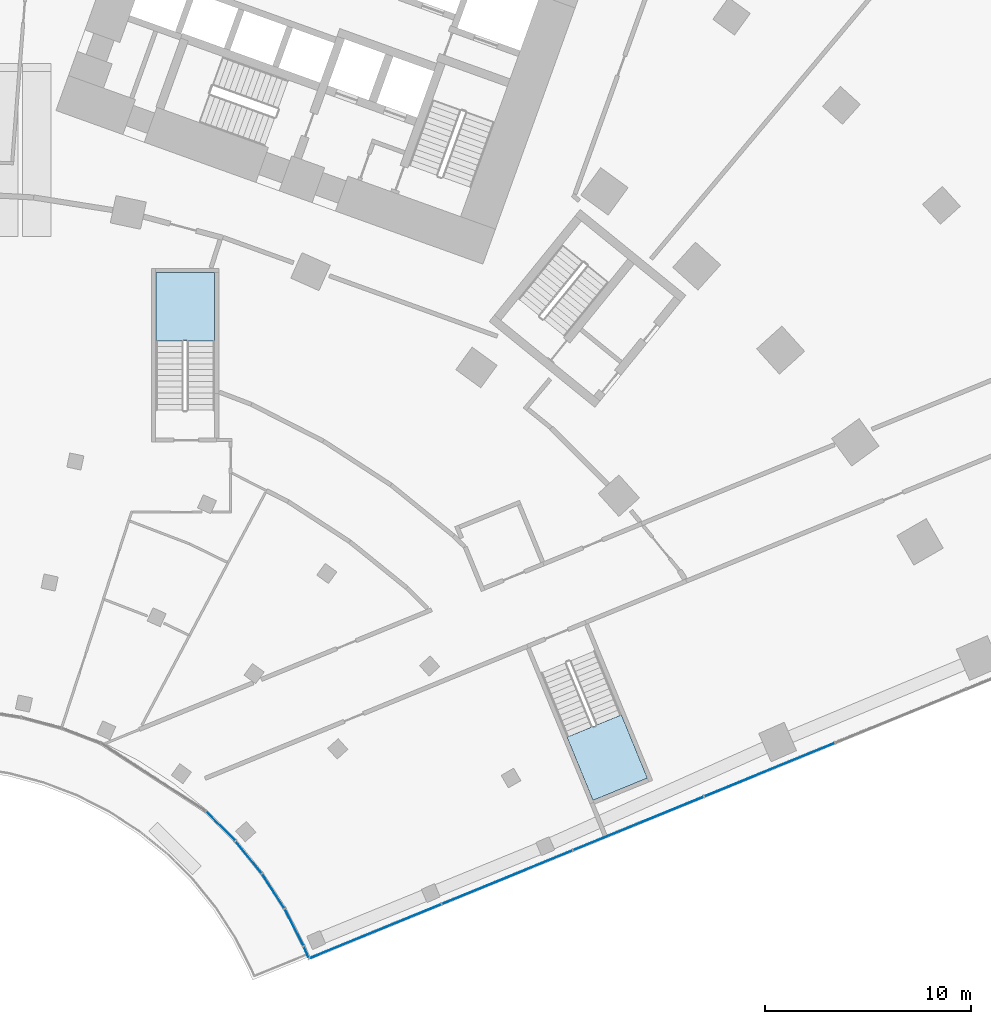
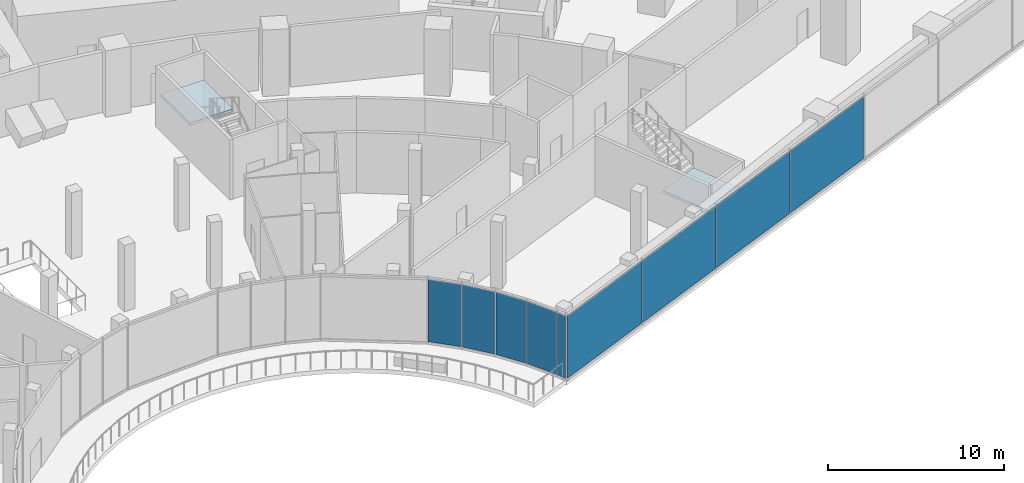
# One storey, part 20 of 40: 9 plates, 2 slabs, 4 elements without a shape of their own.
"""IFC4 building model written with IfcOpenShell, lengths in metres."""

from ifc_helpers import new_model, si_unit, direction, frame, origin, origin_2d, place, context, subcontext, project, spatial, polyline, rectangle, outline, extrude, material, layer, layer_set, type_object, element, aggregate, save


model = new_model("IFC4")

# Units and contexts
model_context = context("Model", 3, precision=1e-05, world=origin(), true_north=direction((0.0, 1.0)))
body_context = subcontext(model_context, "Body", "Model", "MODEL_VIEW")
ifc_project = project(units=[si_unit("LENGTHUNIT", "METRE"), si_unit("AREAUNIT", "SQUARE_METRE"), si_unit("VOLUMEUNIT", "CUBIC_METRE"), si_unit("PLANEANGLEUNIT", "RADIAN"), si_unit("MASSUNIT", "GRAM", prefix="KILO")], contexts=[model_context])

# Site, building, storey
site_placement = place(None, origin())
site = spatial("IfcSite", under=ifc_project, at=site_placement, CompositionType="ELEMENT")
building_placement = place(site_placement, origin())
building = spatial("IfcBuilding", under=site, at=building_placement, Name="Stone Belt Terrace Tower", CompositionType="ELEMENT")
storey_placement = place(building_placement, frame((0.0, 0.0, 7.0)))
storey = spatial("IfcBuildingStorey", under=building, at=storey_placement, Name="L01", CompositionType="ELEMENT", Elevation=7.0)

# Curtain wall, plates
ifc_material_1 = material(Name="Aluminium 6063-T6 anodised frame", Category="aluminium")
ifc_layer_1 = layer(ifc_material_1, 0.14990234375)
ifc_layer_set_1 = layer_set([ifc_layer_1], Name="CW-D podium shopfront")
curtain_wall_type = type_object("IfcCurtainWallType", Name="CW-D podium shopfront", PredefinedType="NOTDEFINED", material=ifc_layer_set_1)
curtain_wall_1_placement = place(storey_placement, origin())
curtain_wall_1 = element("IfcCurtainWall", 1, at=curtain_wall_1_placement, inside=storey, type_object=curtain_wall_type, Name="CW-D concave face L01", PredefinedType="NOTDEFINED")
ifc_material_2 = material(Name="Clear double glazed unit")
ifc_layer_2 = layer(ifc_material_2, 0.031982421875)
ifc_layer_set_2 = layer_set([ifc_layer_2], Name="CW-D glass panel 32")
plate_type = type_object("IfcPlateType", Name="CW-D glass panel 32", PredefinedType="CURTAIN_PANEL", material=ifc_layer_set_2)
plate_1_placement = place(storey_placement, frame((13.719482421875, 13.7138671875, 0.14013671875), z_axis=(0.0, 0.0, 1.0), x_axis=(0.707106781187, -0.707106781187, 0.0)))
plate_1 = element("IfcPlate", 2, at=plate_1_placement, type_object=plate_type, Name="CW-D panel 14.1", PredefinedType="CURTAIN_PANEL", context=body_context, shape_type="SweptSolid", body=[
    extrude(rectangle(XDim=1.957763671875, YDim=0.031982421875, at=origin_2d()), origin(), (0.0, 0.0, 1.0), 4.320068359375),
])
plate_2_placement = place(storey_placement, frame((15.0751953125, 12.207763671875, 0.14013671875), z_axis=(0.0, 0.0, 1.0), x_axis=(0.62932039105, -0.777145961457, 0.0)))
plate_2 = element("IfcPlate", 3, at=plate_2_placement, type_object=plate_type, Name="CW-D panel 15.1", PredefinedType="CURTAIN_PANEL", context=body_context, shape_type="SweptSolid", body=[
    extrude(rectangle(XDim=1.965576171875, YDim=0.031982421875, at=origin_2d()), origin(), (0.0, 0.0, 1.0), 4.320068359375),
])
plate_3_placement = place(storey_placement, frame((16.268798828125, 10.56494140625, 0.14013671875), z_axis=(0.0, 0.0, 1.0), x_axis=(0.544639035015, -0.838670567945, 0.0)))
plate_3 = element("IfcPlate", 4, at=plate_3_placement, type_object=plate_type, Name="CW-D panel 16.1", PredefinedType="CURTAIN_PANEL", context=body_context, shape_type="SweptSolid", body=[
    extrude(rectangle(XDim=1.965576171875, YDim=0.031982421875, at=origin_2d()), origin(), (0.0, 0.0, 1.0), 4.320068359375),
])
plate_4_placement = place(storey_placement, frame((17.28466796875, 8.805419921875, 0.14013671875), z_axis=(0.0, 0.0, 1.0), x_axis=(0.45399049974, -0.891006524188, 0.0)))
plate_4 = element("IfcPlate", 5, at=plate_4_placement, type_object=plate_type, Name="CW-D panel 17.1", PredefinedType="CURTAIN_PANEL", context=body_context, shape_type="SweptSolid", body=[
    extrude(rectangle(XDim=1.96826171875, YDim=0.031982421875, at=origin_2d()), origin(), (0.0, 0.0, 1.0), 4.320068359375),
])
plate_5_placement = place(storey_placement, frame((17.86669921875, 7.61767578125, 0.14013671875), z_axis=(0.0, 0.0, 1.0), x_axis=(0.393033792222, -0.919524028056, 0.0)))
plate_5 = element("IfcPlate", 6, at=plate_5_placement, type_object=plate_type, Name="CW-D panel 18.1", PredefinedType="CURTAIN_PANEL", context=body_context, shape_type="SweptSolid", body=[
    extrude(rectangle(XDim=0.5478515625, YDim=0.031982421875, at=origin_2d()), origin(), (0.0, 0.0, 1.0), 4.320068359375),
])
aggregate(curtain_wall_1, [plate_1, plate_2, plate_3, plate_4, plate_5])

curtain_wall_2_placement = place(storey_placement, origin())
curtain_wall_2 = element("IfcCurtainWall", 7, at=curtain_wall_2_placement, inside=storey, type_object=curtain_wall_type, Name="CW-D end face L01", PredefinedType="NOTDEFINED")
plate_6_placement = place(storey_placement, frame((21.238525390625, 8.623779296875, 0.14013671875), z_axis=(0.0, 0.0, 1.0), x_axis=(0.925297074342, 0.379243093825, 0.0)))
plate_6 = element("IfcPlate", 8, at=plate_6_placement, type_object=plate_type, Name="CW-D panel 1.1", PredefinedType="CURTAIN_PANEL", context=body_context, shape_type="SweptSolid", body=[
    extrude(rectangle(XDim=6.844970703125, YDim=0.031982421875, at=origin_2d()), origin(), (0.0, 0.0, 1.0), 4.320068359375),
])
plate_7_placement = place(storey_placement, frame((27.61376953125, 11.23681640625, 0.14013671875), z_axis=(0.0, 0.0, 1.0), x_axis=(0.925297074342, 0.379243093825, 0.0)))
plate_7 = element("IfcPlate", 9, at=plate_7_placement, type_object=plate_type, Name="CW-D panel 2.1", PredefinedType="CURTAIN_PANEL", context=body_context, shape_type="SweptSolid", body=[
    extrude(rectangle(XDim=6.81494140625, YDim=0.031982421875, at=origin_2d()), origin(), (0.0, 0.0, 1.0), 4.320068359375),
])
plate_8_placement = place(storey_placement, frame((33.975341796875, 13.843994140625, 0.14013671875), z_axis=(0.0, 0.0, 1.0), x_axis=(0.925297074342, 0.379243093825, 0.0)))
plate_8 = element("IfcPlate", 10, at=plate_8_placement, type_object=plate_type, Name="CW-D panel 3.1", PredefinedType="CURTAIN_PANEL", context=body_context, shape_type="SweptSolid", body=[
    extrude(rectangle(XDim=6.81494140625, YDim=0.031982421875, at=origin_2d()), origin(), (0.0, 0.0, 1.0), 4.320068359375),
])
plate_9_placement = place(storey_placement, frame((40.336669921875, 16.451416015625, 0.14013671875), z_axis=(0.0, 0.0, 1.0), x_axis=(0.925297074342, 0.379243093825, 0.0)))
plate_9 = element("IfcPlate", 11, at=plate_9_placement, type_object=plate_type, Name="CW-D panel 4.1", PredefinedType="CURTAIN_PANEL", context=body_context, shape_type="SweptSolid", body=[
    extrude(rectangle(XDim=6.81494140625, YDim=0.031982421875, at=origin_2d()), origin(), (0.0, 0.0, 1.0), 4.320068359375),
])
aggregate(curtain_wall_2, [plate_6, plate_7, plate_8, plate_9])

# Stair, slab
ifc_material_3 = material(Name="Concrete B30", Category="concrete")
stair_type = type_object("IfcStairType", Name="Podium stair concrete B30", PredefinedType="HALF_TURN_STAIR", material=ifc_material_3)
stair_1_placement = place(storey_placement, origin())
stair_1 = element("IfcStair", 12, at=stair_1_placement, inside=storey, type_object=stair_type, Name="L01 podium exit stair 3", PredefinedType="HALF_TURN_STAIR")
ifc_layer_3 = layer(ifc_material_3, 0.199951171875)
ifc_layer_set_3 = layer_set([ifc_layer_3], Name="Podium stair landing concrete B30")
slab_type = type_object("IfcSlabType", Name="Podium stair landing concrete B30", PredefinedType="LANDING", material=ifc_layer_set_3)
slab_1_placement = place(storey_placement, frame((0.0, 0.0, 2.10009765625)))
slab_1 = element("IfcSlab", 13, at=slab_1_placement, type_object=slab_type, Name="PS3 landing 1", PredefinedType="LANDING", context=body_context, shape_type="SweptSolid", body=[
    extrude(outline(polyline([(30.515625, 18.032958984375), (31.772216796875, 14.967529296875), (34.4091796875, 16.04833984375), (33.15283203125, 19.11376953125), (30.515625, 18.032958984375)])), origin(), (0.0, 0.0, 1.0), 0.199951171875),
])
aggregate(stair_1, [slab_1])

stair_2_placement = place(storey_placement, origin())
stair_2 = element("IfcStair", 14, at=stair_2_placement, inside=storey, type_object=stair_type, Name="L01 podium exit stair 6", PredefinedType="HALF_TURN_STAIR")
slab_2_placement = place(storey_placement, frame((0.0, 0.0, 2.10009765625)))
slab_2 = element("IfcSlab", 15, at=slab_2_placement, type_object=slab_type, Name="PS6 landing 1", PredefinedType="LANDING", context=body_context, shape_type="SweptSolid", body=[
    extrude(outline(polyline([(13.425048828125, 37.2470703125), (13.425048828125, 40.56005859375), (10.574951171875, 40.56005859375), (10.574951171875, 37.2470703125), (13.425048828125, 37.2470703125)])), origin(), (0.0, 0.0, 1.0), 0.199951171875),
])
aggregate(stair_2, [slab_2])

save(model, "model.ifc")
